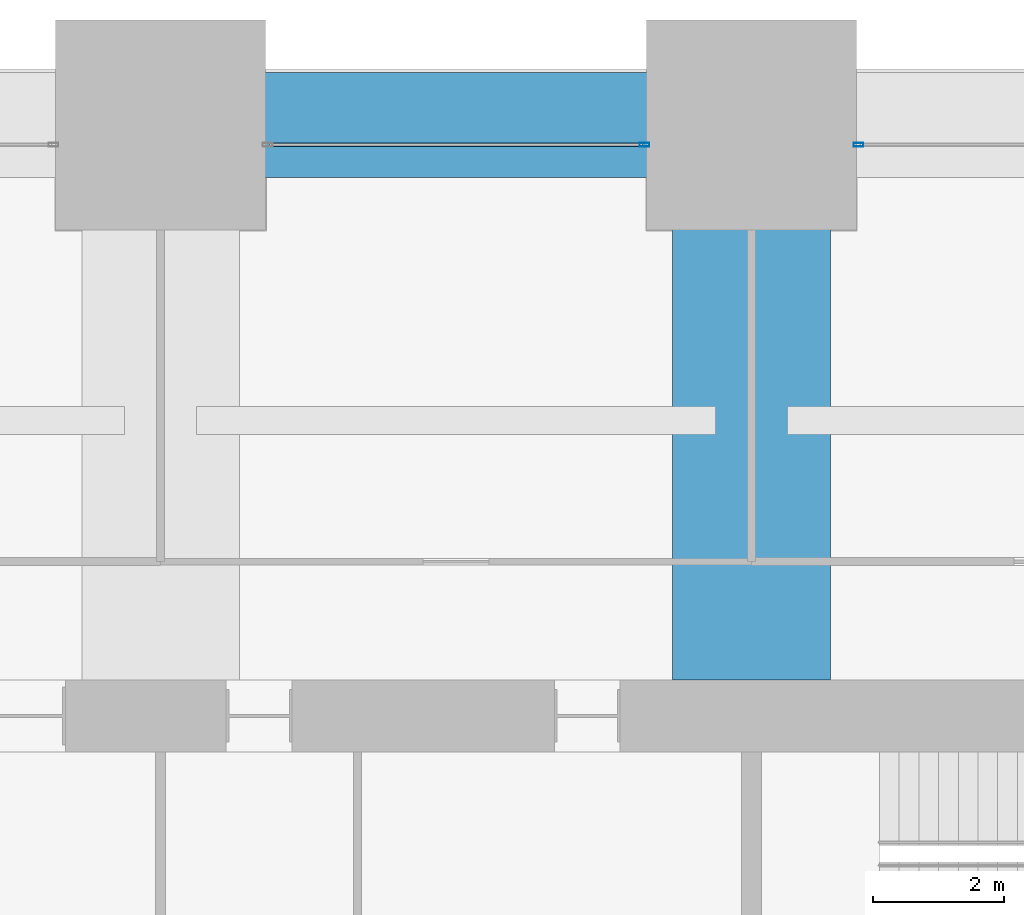
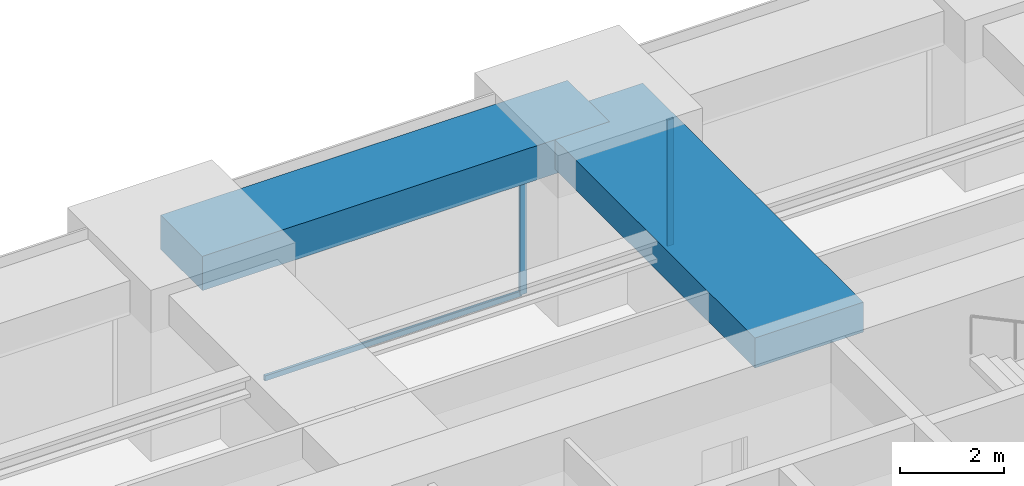
# One storey, part 26 of 35: 3 members, 2 beams, 2 elements without a shape of their own.
"""IFC4 building model written with IfcOpenShell, lengths in metres."""

from ifc_helpers import new_model, si_unit, direction, frame, origin, origin_2d, place, context, subcontext, project, spatial, rectangle, hollow_rectangle, extrude, material, material_profile, profile_set, type_object, element, aggregate, save


model = new_model("IFC4")

# Units and contexts
model_context = context("Model", 3, precision=1e-05, world=origin(), true_north=direction((0.0, 1.0)))
body_context = subcontext(model_context, "Body", "Model", "MODEL_VIEW")
ifc_project = project(units=[si_unit("LENGTHUNIT", "METRE"), si_unit("AREAUNIT", "SQUARE_METRE"), si_unit("VOLUMEUNIT", "CUBIC_METRE"), si_unit("PLANEANGLEUNIT", "RADIAN"), si_unit("MASSUNIT", "GRAM", prefix="KILO")], contexts=[model_context])

# Site, building, storey
site_placement = place(None, origin())
site = spatial("IfcSite", under=ifc_project, at=site_placement, CompositionType="ELEMENT")
building_placement = place(site_placement, origin())
building = spatial("IfcBuilding", under=site, at=building_placement, Name="Zorevar Civic Tower", CompositionType="ELEMENT")
storey_placement = place(building_placement, frame((0.0, 0.0, 162.199951171875)))
storey = spatial("IfcBuildingStorey", under=building, at=storey_placement, Name="L39", CompositionType="ELEMENT", Elevation=162.199951171875)

# Beam
ifc_material_1 = material(Name="Concrete C50/60", Category="concrete")
ifc_material_profile_1 = material_profile(ifc_material_1, rectangle(XDim=2.39990234375, YDim=0.699951171875, at=origin_2d()), Name="RC 2400x700")
ifc_profile_set_1 = profile_set([ifc_material_profile_1], Name="Concrete C50/60")
beam_type_1 = type_object("IfcBeamType", Name="Beam RC 2400x700", PredefinedType="BEAM", material=ifc_profile_set_1)
beam_1_placement = place(storey_placement, frame((36.0, 36.550048828125, 3.400146484375), z_axis=(0.0, 1.0, 0.0), x_axis=(-1.0, 0.0, 0.0)))
element("IfcBeam", 1, at=beam_1_placement, inside=storey, type_object=beam_type_1, Name="Girder L40", PredefinedType="BEAM", context=body_context, shape_type="SweptSolid", body=[
    extrude(rectangle(XDim=2.39990234375, YDim=0.699951171875, at=origin_2d()), origin(), (0.0, 0.0, 1.0), 8.449951171875),
])

# Curtain wall, member
ifc_material_2 = material(Name="Dark grey solar-control glass in black aluminium frame", Category="aluminium")
curtain_wall_type = type_object("IfcCurtainWallType", Name="Curtain wall CW4 high zone", PredefinedType="NOTDEFINED", material=ifc_material_2)
curtain_wall_1_placement = place(storey_placement, origin())
curtain_wall_1 = element("IfcCurtainWall", 2, at=curtain_wall_1_placement, inside=storey, type_object=curtain_wall_type, Name="CW4 L39", PredefinedType="NOTDEFINED")
ifc_material_3 = material(Name="Aluminium, black anodised", Category="aluminium")
ifc_material_profile_2 = material_profile(ifc_material_3, hollow_rectangle(XDim=0.06005859375, YDim=0.14990234375, WallThickness=0.00390625, at=origin_2d()), Name="AL 150x60x4")
ifc_profile_set_2 = profile_set([ifc_material_profile_2], Name="Aluminium, black anodised")
member_type_1 = type_object("IfcMemberType", Name="CW4 mullion AL 150x60x4", PredefinedType="MULLION", material=ifc_profile_set_2)
member_1_placement = place(storey_placement, frame((34.3701171875, 44.699951171875, 0.0), z_axis=(0.0, 0.0, 1.0), x_axis=(0.0, 1.0, 0.0)))
member_1 = element("IfcMember", 3, at=member_1_placement, type_object=member_type_1, Name="CW4 mullion 2", PredefinedType="MULLION", context=body_context, shape_type="SweptSolid", body=[
    extrude(hollow_rectangle(XDim=0.06005859375, YDim=0.14990234375, WallThickness=0.00390625, at=origin_2d()), origin(), (0.0, 0.0, 1.0), 2.949951171875),
])

curtain_wall_2_placement = place(storey_placement, origin())
curtain_wall_2 = element("IfcCurtainWall", 4, at=curtain_wall_2_placement, inside=storey, type_object=curtain_wall_type, Name="CW4 L39", PredefinedType="NOTDEFINED")
member_2_placement = place(storey_placement, frame((37.6298828125, 44.699951171875, 0.0), z_axis=(0.0, 0.0, 1.0), x_axis=(0.0, 1.0, 0.0)))
member_2 = element("IfcMember", 5, at=member_2_placement, type_object=member_type_1, Name="CW4 mullion 1", PredefinedType="MULLION", context=body_context, shape_type="SweptSolid", body=[
    extrude(hollow_rectangle(XDim=0.06005859375, YDim=0.14990234375, WallThickness=0.00390625, at=origin_2d()), origin(), (0.0, 0.0, 1.0), 2.949951171875),
])
aggregate(curtain_wall_2, [member_2])

# Member
ifc_material_4 = material(Name="Aluminium, black anodised", Category="aluminium")
ifc_material_profile_3 = material_profile(ifc_material_4, hollow_rectangle(XDim=0.06005859375, YDim=0.1201171875, WallThickness=0.0029296875, at=origin_2d()), Name="AL 120x60x3")
ifc_profile_set_3 = profile_set([ifc_material_profile_3], Name="Aluminium, black anodised")
member_type_2 = type_object("IfcMemberType", Name="CW4 transom AL 120x60x3", PredefinedType="USERDEFINED", material=ifc_profile_set_3)
member_3_placement = place(storey_placement, frame((28.659912109375, 44.699951171875, 0.030029296875), z_axis=(1.0, 0.0, 0.0), x_axis=(0.0, 1.0, 0.0)))
member_3 = element("IfcMember", 6, at=member_3_placement, type_object=member_type_2, Name="CW4 sill transom", ObjectType="TRANSOM", PredefinedType="USERDEFINED", context=body_context, shape_type="SweptSolid", body=[
    extrude(hollow_rectangle(XDim=0.06005859375, YDim=0.1201171875, WallThickness=0.0029296875, at=origin_2d()), origin(), (0.0, 0.0, 1.0), 5.68017578125),
])

aggregate(curtain_wall_1, [member_1, member_3])

# Beam
ifc_material_5 = material(Name="Concrete C50/60", Category="concrete")
ifc_material_profile_4 = material_profile(ifc_material_5, rectangle(XDim=1.60009765625, YDim=0.800048828125, at=origin_2d()), Name="RC 1600x800")
ifc_profile_set_4 = profile_set([ifc_material_profile_4], Name="Concrete C50/60")
beam_type_2 = type_object("IfcBeamType", Name="Edge beam RC 1600x800", PredefinedType="SPANDREL", material=ifc_profile_set_4)
beam_2_placement = place(storey_placement, frame((27.0, 45.0, 3.35009765625), z_axis=(1.0, 0.0, 0.0), x_axis=(0.0, 1.0, 0.0)))
element("IfcBeam", 7, at=beam_2_placement, inside=storey, type_object=beam_type_2, Name="Edge beam L40", PredefinedType="SPANDREL", context=body_context, shape_type="SweptSolid", body=[
    extrude(rectangle(XDim=1.60009765625, YDim=0.800048828125, at=origin_2d()), origin(), (0.0, 0.0, 1.0), 9.0),
])

save(model, "model.ifc")
